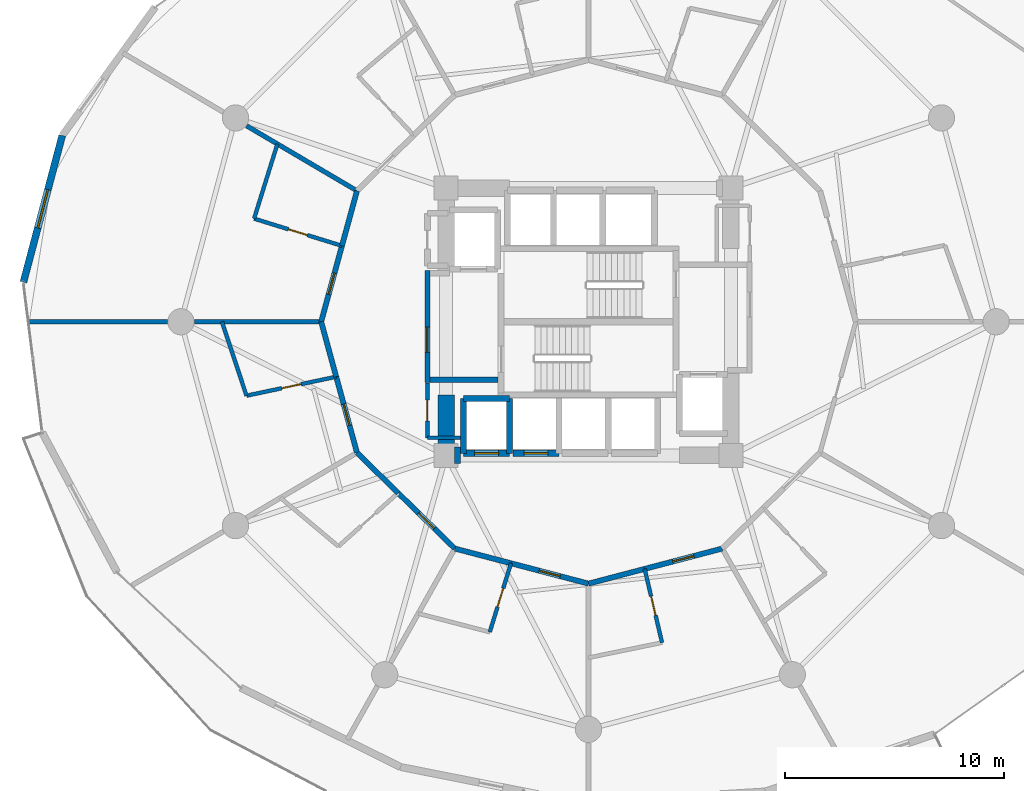
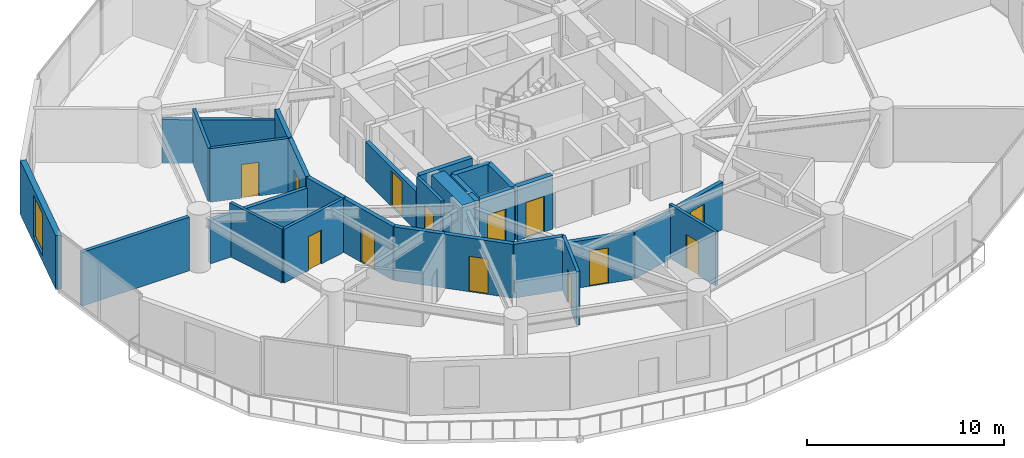
# One storey, part 20 of 26: 31 walls, 13 doors, 1 window, 14 openings.
"""IFC4 building model written with IfcOpenShell, lengths in metres."""

from ifc_helpers import new_model, si_unit, direction, frame, frame_2d, origin, place, context, subcontext, project, spatial, rectangle, extrude, material, layer, layer_set, type_object, element, fill, save


model = new_model("IFC4")

# Units and contexts
model_context = context("Model", 3, precision=1e-05, world=origin(), true_north=direction((0.0, 1.0)))
body_context = subcontext(model_context, "Body", "Model", "MODEL_VIEW")
ifc_project = project(units=[si_unit("LENGTHUNIT", "METRE"), si_unit("AREAUNIT", "SQUARE_METRE"), si_unit("VOLUMEUNIT", "CUBIC_METRE"), si_unit("PLANEANGLEUNIT", "RADIAN"), si_unit("MASSUNIT", "GRAM", prefix="KILO")], contexts=[model_context])

# Site, building, storey
site_placement = place(None, origin())
site = spatial("IfcSite", under=ifc_project, at=site_placement, CompositionType="ELEMENT")
building_placement = place(site_placement, origin())
building = spatial("IfcBuilding", under=site, at=building_placement, Name="Solvirekh Grand Hotel", CompositionType="ELEMENT")
storey_placement = place(building_placement, frame((0.0, 0.0, 35.60009765625)))
storey = spatial("IfcBuildingStorey", under=building, at=storey_placement, Name="L07", CompositionType="ELEMENT", Elevation=35.60009765625)

# Wall, opening, door
ifc_material_1 = material(Name="Concrete C40/50", Category="concrete")
ifc_layer_1 = layer(ifc_material_1, 0.280029296875)
ifc_layer_set_1 = layer_set([ifc_layer_1], Name="Concrete C40/50")
wall_type_1 = type_object("IfcWallType", Name="CoreShaftWall_RC280", PredefinedType="SOLIDWALL", material=ifc_layer_set_1)
wall_1_placement = place(storey_placement, frame((-5.699951171875, -6.0, 0.0), z_axis=(0.0, 0.0, 1.0), x_axis=(1.0, 0.0, 0.0)))
wall_1 = element("IfcWall", 1, at=wall_1_placement, inside=storey, type_object=wall_type_1, Name="L07 LP-1 hoistway S wall", PredefinedType="SOLIDWALL", context=body_context, shape_type="SweptSolid", body=[
    extrude(rectangle(XDim=2.099853515625, YDim=0.280029296875, at=frame_2d((1.0498046875, 0.0))), origin(), (0.0, 0.0, 1.0), 3.33984375),
])
opening_1_placement = place(wall_1_placement, frame((0.5, 0.0, 0.0)))
opening_1 = element("IfcOpeningElement", 2, at=opening_1_placement, cuts=wall_1, Name="Opening LD01", PredefinedType="OPENING", context=body_context, shape_type="SweptSolid", body=[
    extrude(rectangle(XDim=1.10009765625, YDim=2.199951171875, at=frame_2d((0.550048828125, 1.10009765625))), frame((0.0, 0.14990234375, 0.0), z_axis=(0.0, -1.0, 0.0), x_axis=(1.0, 0.0, 0.0)), (0.0, 0.0, 1.0), 0.300048828125),
])
ifc_material_2 = material(Name="Fire-Rated Steel Door Assembly", Category="steel")
door_type_1 = type_object("IfcDoorType", Name="Door_LiftLanding_1100X2200", OperationType="SLIDING_TO_LEFT", PredefinedType="DOOR", material=ifc_material_2)
door_1_placement = place(opening_1_placement, origin())
door_1 = element("IfcDoor", 3, at=door_1_placement, inside=storey, type_object=door_type_1, Name="L07 LP-1 sliding lift landing door", OperationType="SLIDING_TO_LEFT", OverallHeight=2.199951171875, OverallWidth=1.10009765625, PredefinedType="DOOR", context=body_context, shape_type="SweptSolid", body=[
    extrude(rectangle(XDim=1.10009765625, YDim=2.199951171875, at=frame_2d((0.550048828125, 1.10009765625))), frame((0.0, 0.02490234375, 0.0), z_axis=(0.0, -1.0, 0.0), x_axis=(1.0, 0.0, 0.0)), (0.0, 0.0, 1.0), 0.050048828125),
])
fill(opening_1, door_1)

# Walls
wall_2_placement = place(storey_placement, frame((-3.60009765625, -3.5, 0.0), z_axis=(0.0, 0.0, 1.0), x_axis=(-1.0, 0.0, 0.0)))
element("IfcWall", 4, at=wall_2_placement, inside=storey, type_object=wall_type_1, Name="L07 LP-1 hoistway N wall", PredefinedType="SOLIDWALL", context=body_context, shape_type="SweptSolid", body=[
    extrude(rectangle(XDim=2.099853515625, YDim=0.280029296875, at=frame_2d((1.0498046875, 0.0))), origin(), (0.0, 0.0, 1.0), 3.33984375),
])
for number, where, z_axis, x_axis, name in (
    (5, (-5.699951171875, -3.5, 0.0), (0.0, 0.0, 1.0), (0.0, -1.0, 0.0), "L07 LP-1 hoistway W wall"),
    (6, (-3.60009765625, -6.0, 0.0), (0.0, 0.0, 1.0), (0.0, 1.0, 0.0), "L07 LP-1 hoistway E wall"),
):
    element("IfcWall", number, at=place(storey_placement, frame(where, z_axis=z_axis, x_axis=x_axis)), inside=storey, type_object=wall_type_1, Name=name, PredefinedType="SOLIDWALL", context=body_context, shape_type="SweptSolid", body=[
        extrude(rectangle(XDim=2.5, YDim=0.280029296875, at=frame_2d((1.25, 0.0))), origin(), (0.0, 0.0, 1.0), 3.33984375),
    ])

# Wall, opening, door
wall_3_placement = place(storey_placement, frame((-3.449951171875, -6.0, 0.0), z_axis=(0.0, 0.0, 1.0), x_axis=(1.0, 0.0, 0.0)))
wall_3 = element("IfcWall", 7, at=wall_3_placement, inside=storey, type_object=wall_type_1, Name="L07 LP-2 hoistway S wall", PredefinedType="SOLIDWALL", context=body_context, shape_type="SweptSolid", body=[
    extrude(rectangle(XDim=2.099853515625, YDim=0.280029296875, at=frame_2d((1.0498046875, 0.0))), origin(), (0.0, 0.0, 1.0), 3.33984375),
])
opening_2_placement = place(wall_3_placement, frame((0.5, 0.0, 0.0)))
opening_2 = element("IfcOpeningElement", 8, at=opening_2_placement, cuts=wall_3, Name="Opening LD01", PredefinedType="OPENING", context=body_context, shape_type="SweptSolid", body=[
    extrude(rectangle(XDim=1.10009765625, YDim=2.199951171875, at=frame_2d((0.550048828125, 1.10009765625))), frame((0.0, 0.14990234375, 0.0), z_axis=(0.0, -1.0, 0.0), x_axis=(1.0, 0.0, 0.0)), (0.0, 0.0, 1.0), 0.300048828125),
])
door_2_placement = place(opening_2_placement, origin())
door_2 = element("IfcDoor", 9, at=door_2_placement, inside=storey, type_object=door_type_1, Name="L07 LP-2 sliding lift landing door", OperationType="SLIDING_TO_LEFT", OverallHeight=2.199951171875, OverallWidth=1.10009765625, PredefinedType="DOOR", context=body_context, shape_type="SweptSolid", body=[
    extrude(rectangle(XDim=1.10009765625, YDim=2.199951171875, at=frame_2d((0.550048828125, 1.10009765625))), frame((0.0, 0.02490234375, 0.0), z_axis=(0.0, -1.0, 0.0), x_axis=(1.0, 0.0, 0.0)), (0.0, 0.0, 1.0), 0.050048828125),
])
fill(opening_2, door_2)

# Walls
ifc_material_3 = material(Name="Concrete C60/75", Category="concrete")
ifc_layer_2 = layer(ifc_material_3, 0.75)
ifc_layer_set_2 = layer_set([ifc_layer_2], Name="Concrete C60/75")
wall_type_2 = type_object("IfcWallType", Name="CoreWall_RC750", PredefinedType="SHEAR", material=ifc_layer_set_2)
wall_4_placement = place(storey_placement, frame((-6.125, -6.10009765625, 0.0), z_axis=(0.0, 0.0, 1.0), x_axis=(1.0, 0.0, 0.0)))
element("IfcWall", 10, at=wall_4_placement, inside=storey, type_object=wall_type_2, Name="L07 core corner shear wall SW-S", PredefinedType="SHEAR", context=body_context, shape_type="SweptSolid", body=[
    extrude(rectangle(XDim=0.27490234375, YDim=0.75, at=frame_2d((0.137451171875, 0.0))), origin(), (0.0, 0.0, 1.0), 3.599853515625),
])
wall_5_placement = place(storey_placement, frame((-6.5, -6.47509765625, 0.0), z_axis=(0.0, 0.0, 1.0), x_axis=(0.0, 1.0, 0.0)))
element("IfcWall", 11, at=wall_5_placement, inside=storey, type_object=wall_type_2, Name="L07 core corner shear wall WS-W", PredefinedType="SHEAR", context=body_context, shape_type="SweptSolid", body=[
    extrude(rectangle(XDim=3.125, YDim=0.75, at=frame_2d((1.5625, 0.0))), origin(), (0.0, 0.0, 1.0), 3.599853515625),
])

# Wall, opening, window
ifc_material_4 = material(Name="Precast concrete C45/55", Category="concrete")
ifc_layer_3 = layer(ifc_material_4, 0.320068359375)
ifc_layer_set_3 = layer_set([ifc_layer_3], Name="Precast concrete C45/55")
wall_type_3 = type_object("IfcWallType", Name="ExtLobbyWall_RC320", PredefinedType="SOLIDWALL", material=ifc_layer_set_3)
wall_6_placement = place(storey_placement, frame((-25.7890625, 1.80810546875, 0.0), z_axis=(0.0, 0.0, 1.0), x_axis=(0.255999140835, 0.966677009084, 0.0)))
wall_6 = element("IfcWall", 12, at=wall_6_placement, inside=storey, type_object=wall_type_3, Name="L07 exterior structural wall chord 10", PredefinedType="SOLIDWALL", context=body_context, shape_type="SweptSolid", body=[
    extrude(rectangle(XDim=6.925537109375, YDim=0.320068359375, at=frame_2d((3.462890625, 0.0))), origin(), (0.0, 0.0, 1.0), 3.33984375),
])
opening_3_placement = place(wall_6_placement, frame((2.56298828125, 0.0, 0.35009765625)))
opening_3 = element("IfcOpeningElement", 13, at=opening_3_placement, cuts=wall_6, Name="Opening W02", PredefinedType="OPENING", context=body_context, shape_type="SweptSolid", body=[
    extrude(rectangle(XDim=1.800048828125, YDim=2.60009765625, at=frame_2d((0.89990234375, 1.300048828125))), frame((0.0, 0.169921875, 0.0), z_axis=(0.0, -1.0, 0.0), x_axis=(1.0, 0.0, 0.0)), (0.0, 0.0, 1.0), 0.340087890625),
])
ifc_material_5 = material(Name="Low-E Tinted Bronze Laminated Glass", Category="aluminium")
window_type = type_object("IfcWindowType", Name="Win_LobbyExt_1800X2600", PartitioningType="SINGLE_PANEL", PredefinedType="WINDOW", material=ifc_material_5)
window_placement = place(opening_3_placement, origin())
window = element("IfcWindow", 14, at=window_placement, inside=storey, type_object=window_type, Name="L07 panoramic bronze-framed window 10", OverallHeight=2.60009765625, OverallWidth=1.800048828125, PartitioningType="SINGLE_PANEL", PredefinedType="WINDOW", context=body_context, shape_type="SweptSolid", body=[
    extrude(rectangle(XDim=1.800048828125, YDim=2.60009765625, at=frame_2d((0.89990234375, 1.300048828125))), frame((0.0, 0.030029296875, 0.0), z_axis=(0.0, -1.0, 0.0), x_axis=(1.0, 0.0, 0.0)), (0.0, 0.0, 1.0), 0.06005859375),
])
fill(opening_3, window)

# Wall
ifc_material_6 = material(Name="Acoustic Gypsum Partition Assembly")
ifc_layer_4 = layer(ifc_material_6, 0.1650390625)
ifc_layer_set_4 = layer_set([ifc_layer_4], Name="Acoustic Gypsum Partition Assembly")
wall_type_4 = type_object("IfcWallType", Name="Part_BOH_165", PredefinedType="PARTITIONING", material=ifc_layer_set_4)
wall_7_placement = place(storey_placement, frame((-7.35009765625, -5.300048828125, 0.0), z_axis=(0.0, 0.0, 1.0), x_axis=(1.0, 0.0, 0.0)))
element("IfcWall", 15, at=wall_7_placement, inside=storey, type_object=wall_type_4, Name="L07 L07 Core Linen Store wall 1", PredefinedType="PARTITIONING", context=body_context, shape_type="SweptSolid", body=[
    extrude(rectangle(XDim=1.5, YDim=0.1650390625, at=frame_2d((0.75, 0.0))), origin(), (0.0, 0.0, 1.0), 2.4248046875),
])

# Wall, opening, door
wall_8_placement = place(storey_placement, frame((-7.35009765625, -2.800048828125, 0.0), z_axis=(0.0, 0.0, 1.0), x_axis=(0.0, -1.0, 0.0)))
wall_8 = element("IfcWall", 16, at=wall_8_placement, inside=storey, type_object=wall_type_4, Name="L07 L07 Core Linen Store wall 4", PredefinedType="PARTITIONING", context=body_context, shape_type="SweptSolid", body=[
    extrude(rectangle(XDim=2.5, YDim=0.1650390625, at=frame_2d((1.25, 0.0))), origin(), (0.0, 0.0, 1.0), 3.33984375),
])
opening_4_placement = place(wall_8_placement, frame((0.77490234375, 0.0, 0.0)))
opening_4 = element("IfcOpeningElement", 17, at=opening_4_placement, cuts=wall_8, Name="Opening D10", PredefinedType="OPENING", context=body_context, shape_type="SweptSolid", body=[
    extrude(rectangle(XDim=0.949951171875, YDim=2.10009765625, at=frame_2d((0.47509765625, 1.050048828125))), frame((0.0, 0.092529296875, 0.0), z_axis=(0.0, -1.0, 0.0), x_axis=(1.0, 0.0, 0.0)), (0.0, 0.0, 1.0), 0.18505859375),
])
ifc_material_7 = material(Name="Anodized Bronze Aluminium 6063-T6", Category="aluminium")
door_type_2 = type_object("IfcDoorType", Name="Door_RoomInt_950X2100", OperationType="NOTDEFINED", PredefinedType="DOOR", material=ifc_material_7)
door_3_placement = place(opening_4_placement, origin())
door_3 = element("IfcDoor", 18, at=door_3_placement, inside=storey, type_object=door_type_2, Name="L07 L07 Core Linen Store door", OperationType="SINGLE_SWING_LEFT", OverallHeight=2.10009765625, OverallWidth=0.949951171875, PredefinedType="DOOR", context=body_context, shape_type="SweptSolid", body=[
    extrude(rectangle(XDim=0.949951171875, YDim=2.10009765625, at=frame_2d((0.47509765625, 1.050048828125))), frame((0.0, 0.02490234375, 0.0), z_axis=(0.0, -1.0, 0.0), x_axis=(1.0, 0.0, 0.0)), (0.0, 0.0, 1.0), 0.050048828125),
])
fill(opening_4, door_3)

ifc_layer_5 = layer(ifc_material_6, 0.239990234375)
ifc_layer_set_5 = layer_set([ifc_layer_5], Name="Acoustic Gypsum Partition Assembly")
wall_type_5 = type_object("IfcWallType", Name="Part_Corridor_240", PredefinedType="PARTITIONING", material=ifc_layer_set_5)
wall_9_placement = place(storey_placement, frame((-7.35009765625, -2.780029296875, 0.0), z_axis=(0.0, 0.0, 1.0), x_axis=(0.0, 1.0, 0.0)))
wall_9 = element("IfcWall", 19, at=wall_9_placement, inside=storey, type_object=wall_type_5, Name="L07 west firefighting lobby smoke screen wall", PredefinedType="PARTITIONING", context=body_context, shape_type="SweptSolid", body=[
    extrude(rectangle(XDim=5.1201171875, YDim=0.239990234375, at=frame_2d((2.56005859375, 0.0))), origin(), (0.0, 0.0, 1.0), 2.4248046875),
])
opening_5_placement = place(wall_9_placement, frame((1.388916015625, 0.0, 0.0)))
opening_5 = element("IfcOpeningElement", 20, at=opening_5_placement, cuts=wall_9, Name="Opening D06", PredefinedType="OPENING", context=body_context, shape_type="SweptSolid", body=[
    extrude(rectangle(XDim=1.14990234375, YDim=2.199951171875, at=frame_2d((0.574951171875, 1.10009765625))), frame((0.0, 0.1298828125, 0.0), z_axis=(0.0, -1.0, 0.0), x_axis=(1.0, 0.0, 0.0)), (0.0, 0.0, 1.0), 0.260009765625),
])
door_type_3 = type_object("IfcDoorType", Name="Door_FFLobby_1150X2200", OperationType="NOTDEFINED", PredefinedType="DOOR", material=ifc_material_2)
door_4_placement = place(opening_5_placement, origin())
door_4 = element("IfcDoor", 21, at=door_4_placement, inside=storey, type_object=door_type_3, Name="L07 west firefighting lobby smoke door", OperationType="SINGLE_SWING_RIGHT", OverallHeight=2.199951171875, OverallWidth=1.14990234375, PredefinedType="DOOR", context=body_context, shape_type="SweptSolid", body=[
    extrude(rectangle(XDim=1.14990234375, YDim=2.199951171875, at=frame_2d((0.574951171875, 1.10009765625))), frame((0.0, 0.02490234375, 0.0), z_axis=(0.0, -1.0, 0.0), x_axis=(1.0, 0.0, 0.0)), (0.0, 0.0, 1.0), 0.050048828125),
])
fill(opening_5, door_4)

# Wall
wall_10_placement = place(storey_placement, frame((-10.56591796875, 5.97509765625, 0.0), z_axis=(0.0, 0.0, 1.0), x_axis=(-0.263744763784, -0.964592504416, 0.0)))
element("IfcWall", 22, at=wall_10_placement, inside=storey, type_object=wall_type_5, Name="L07 En-suite Bathroom 0905 corridor backing wall", PredefinedType="PARTITIONING", context=body_context, shape_type="SweptSolid", body=[
    extrude(rectangle(XDim=2.60107421875, YDim=0.239990234375, at=frame_2d((1.300537109375, 0.0))), origin(), (0.0, 0.0, 1.0), 3.33984375),
])

# Wall, opening, door
wall_11_placement = place(storey_placement, frame((-11.251953125, 3.466064453125, 0.0), z_axis=(0.0, 0.0, 1.0), x_axis=(-0.263818706543, -0.96457228349, 0.0)))
wall_11 = element("IfcWall", 23, at=wall_11_placement, inside=storey, type_object=wall_type_5, Name="L07 Deluxe Guestroom 0905 entrance wall", PredefinedType="PARTITIONING", context=body_context, shape_type="SweptSolid", body=[
    extrude(rectangle(XDim=3.59326171875, YDim=0.239990234375, at=frame_2d((1.796630859375, 0.0))), origin(), (0.0, 0.0, 1.0), 3.33984375),
])
opening_6_placement = place(wall_11_placement, frame((1.297119140625, 0.0, 0.0)))
opening_6 = element("IfcOpeningElement", 24, at=opening_6_placement, cuts=wall_11, Name="Opening D07", PredefinedType="OPENING", context=body_context, shape_type="SweptSolid", body=[
    extrude(rectangle(XDim=1.0, YDim=2.199951171875, at=frame_2d((0.5, 1.10009765625))), frame((0.0, 0.1298828125, 0.0), z_axis=(0.0, -1.0, 0.0), x_axis=(1.0, 0.0, 0.0)), (0.0, 0.0, 1.0), 0.260009765625),
])
door_type_4 = type_object("IfcDoorType", Name="Door_GuestEntry_1000X2200", OperationType="NOTDEFINED", PredefinedType="DOOR", material=ifc_material_2)
door_5_placement = place(opening_6_placement, origin())
door_5 = element("IfcDoor", 25, at=door_5_placement, inside=storey, type_object=door_type_4, Name="L07 Deluxe Guestroom 0905 entrance door", OperationType="SINGLE_SWING_RIGHT", OverallHeight=2.199951171875, OverallWidth=1.0, PredefinedType="DOOR", context=body_context, shape_type="SweptSolid", body=[
    extrude(rectangle(XDim=1.0, YDim=2.199951171875, at=frame_2d((0.5, 1.10009765625))), frame((0.0, 0.02490234375, 0.0), z_axis=(0.0, -1.0, 0.0), x_axis=(1.0, 0.0, 0.0)), (0.0, 0.0, 1.0), 0.050048828125),
])
fill(opening_6, door_5)

# Wall
wall_12_placement = place(storey_placement, frame((-12.199951171875, 0.0, 0.0), z_axis=(0.0, 0.0, 1.0), x_axis=(0.263744763784, -0.964592504416, 0.0)))
element("IfcWall", 26, at=wall_12_placement, inside=storey, type_object=wall_type_5, Name="L07 En-suite Bathroom 0906 corridor backing wall", PredefinedType="PARTITIONING", context=body_context, shape_type="SweptSolid", body=[
    extrude(rectangle(XDim=2.60107421875, YDim=0.239990234375, at=frame_2d((1.300537109375, 0.0))), origin(), (0.0, 0.0, 1.0), 3.33984375),
])

# Wall, opening, door
wall_13_placement = place(storey_placement, frame((-11.513916015625, -2.509033203125, 0.0), z_axis=(0.0, 0.0, 1.0), x_axis=(0.263818706543, -0.96457228349, 0.0)))
wall_13 = element("IfcWall", 27, at=wall_13_placement, inside=storey, type_object=wall_type_5, Name="L07 Deluxe Guestroom 0906 entrance wall", PredefinedType="PARTITIONING", context=body_context, shape_type="SweptSolid", body=[
    extrude(rectangle(XDim=3.59326171875, YDim=0.239990234375, at=frame_2d((1.796630859375, 0.0))), origin(), (0.0, 0.0, 1.0), 3.33984375),
])
opening_7_placement = place(wall_13_placement, frame((1.297119140625, 0.0, 0.0)))
opening_7 = element("IfcOpeningElement", 28, at=opening_7_placement, cuts=wall_13, Name="Opening D07", PredefinedType="OPENING", context=body_context, shape_type="SweptSolid", body=[
    extrude(rectangle(XDim=1.0, YDim=2.199951171875, at=frame_2d((0.5, 1.10009765625))), frame((0.0, 0.1298828125, 0.0), z_axis=(0.0, -1.0, 0.0), x_axis=(1.0, 0.0, 0.0)), (0.0, 0.0, 1.0), 0.260009765625),
])
door_6_placement = place(opening_7_placement, origin())
door_6 = element("IfcDoor", 29, at=door_6_placement, inside=storey, type_object=door_type_4, Name="L07 Deluxe Guestroom 0906 entrance door", OperationType="SINGLE_SWING_RIGHT", OverallHeight=2.199951171875, OverallWidth=1.0, PredefinedType="DOOR", context=body_context, shape_type="SweptSolid", body=[
    extrude(rectangle(XDim=1.0, YDim=2.199951171875, at=frame_2d((0.5, 1.10009765625))), frame((0.0, 0.02490234375, 0.0), z_axis=(0.0, -1.0, 0.0), x_axis=(1.0, 0.0, 0.0)), (0.0, 0.0, 1.0), 0.050048828125),
])
fill(opening_7, door_6)

# Wall
wall_14_placement = place(storey_placement, frame((-10.56591796875, -5.97509765625, 0.0), z_axis=(0.0, 0.0, 1.0), x_axis=(0.714506552913, -0.699628748584, 0.0)))
element("IfcWall", 30, at=wall_14_placement, inside=storey, type_object=wall_type_5, Name="L07 En-suite Bathroom 0907 corridor backing wall", PredefinedType="PARTITIONING", context=body_context, shape_type="SweptSolid", body=[
    extrude(rectangle(XDim=2.62548828125, YDim=0.239990234375, at=frame_2d((1.312744140625, 0.0))), origin(), (0.0, 0.0, 1.0), 3.33984375),
])

# Wall, opening, door
wall_15_placement = place(storey_placement, frame((-8.68994140625, -7.81201171875, 0.0), z_axis=(0.0, 0.0, 1.0), x_axis=(0.714342093268, -0.699796666029, 0.0)))
wall_15 = element("IfcWall", 31, at=wall_15_placement, inside=storey, type_object=wall_type_5, Name="L07 Deluxe Guestroom 0907 entrance wall", PredefinedType="PARTITIONING", context=body_context, shape_type="SweptSolid", body=[
    extrude(rectangle(XDim=3.62548828125, YDim=0.239990234375, at=frame_2d((1.812744140625, 0.0))), origin(), (0.0, 0.0, 1.0), 3.33984375),
])
opening_8_placement = place(wall_15_placement, frame((1.31298828125, 0.0, 0.0)))
opening_8 = element("IfcOpeningElement", 32, at=opening_8_placement, cuts=wall_15, Name="Opening D07", PredefinedType="OPENING", context=body_context, shape_type="SweptSolid", body=[
    extrude(rectangle(XDim=1.0, YDim=2.199951171875, at=frame_2d((0.5, 1.10009765625))), frame((0.0, 0.1298828125, 0.0), z_axis=(0.0, -1.0, 0.0), x_axis=(1.0, 0.0, 0.0)), (0.0, 0.0, 1.0), 0.260009765625),
])
door_7_placement = place(opening_8_placement, origin())
door_7 = element("IfcDoor", 33, at=door_7_placement, inside=storey, type_object=door_type_4, Name="L07 Deluxe Guestroom 0907 entrance door", OperationType="SINGLE_SWING_RIGHT", OverallHeight=2.199951171875, OverallWidth=1.0, PredefinedType="DOOR", context=body_context, shape_type="SweptSolid", body=[
    extrude(rectangle(XDim=1.0, YDim=2.199951171875, at=frame_2d((0.5, 1.10009765625))), frame((0.0, 0.02490234375, 0.0), z_axis=(0.0, -1.0, 0.0), x_axis=(1.0, 0.0, 0.0)), (0.0, 0.0, 1.0), 0.050048828125),
])
fill(opening_8, door_7)

# Wall
wall_16_placement = place(storey_placement, frame((-6.10009765625, -10.34912109375, 0.0), z_axis=(0.0, 0.0, 1.0), x_axis=(0.967291490053, -0.253667446219, 0.0)))
element("IfcWall", 34, at=wall_16_placement, inside=storey, type_object=wall_type_5, Name="L07 En-suite Bathroom 0908 corridor backing wall", PredefinedType="PARTITIONING", context=body_context, shape_type="SweptSolid", body=[
    extrude(rectangle(XDim=2.648681640625, YDim=0.239990234375, at=frame_2d((1.32421875, 0.0))), origin(), (0.0, 0.0, 1.0), 3.33984375),
])

# Wall, opening, door
wall_17_placement = place(storey_placement, frame((-3.5380859375, -11.02099609375, 0.0), z_axis=(0.0, 0.0, 1.0), x_axis=(0.96721703222, -0.253951201187, 0.0)))
wall_17 = element("IfcWall", 35, at=wall_17_placement, inside=storey, type_object=wall_type_5, Name="L07 Deluxe Guestroom 0908 entrance wall", PredefinedType="PARTITIONING", context=body_context, shape_type="SweptSolid", body=[
    extrude(rectangle(XDim=3.657958984375, YDim=0.239990234375, at=frame_2d((1.8291015625, 0.0))), origin(), (0.0, 0.0, 1.0), 2.9169921875),
])
opening_9_placement = place(wall_17_placement, frame((1.3291015625, 0.0, 0.0)))
opening_9 = element("IfcOpeningElement", 36, at=opening_9_placement, cuts=wall_17, Name="Opening D07", PredefinedType="OPENING", context=body_context, shape_type="SweptSolid", body=[
    extrude(rectangle(XDim=1.0, YDim=2.199951171875, at=frame_2d((0.5, 1.10009765625))), frame((0.0, 0.1298828125, 0.0), z_axis=(0.0, -1.0, 0.0), x_axis=(1.0, 0.0, 0.0)), (0.0, 0.0, 1.0), 0.260009765625),
])
door_8_placement = place(opening_9_placement, origin())
door_8 = element("IfcDoor", 37, at=door_8_placement, inside=storey, type_object=door_type_4, Name="L07 Deluxe Guestroom 0908 entrance door", OperationType="SINGLE_SWING_RIGHT", OverallHeight=2.199951171875, OverallWidth=1.0, PredefinedType="DOOR", context=body_context, shape_type="SweptSolid", body=[
    extrude(rectangle(XDim=1.0, YDim=2.199951171875, at=frame_2d((0.5, 1.10009765625))), frame((0.0, 0.02490234375, 0.0), z_axis=(0.0, -1.0, 0.0), x_axis=(1.0, 0.0, 0.0)), (0.0, 0.0, 1.0), 0.050048828125),
])
fill(opening_9, door_8)

# Wall
wall_18_placement = place(storey_placement, frame((0.0, -11.949951171875, 0.0), z_axis=(0.0, 0.0, 1.0), x_axis=(0.967291490053, 0.253667446219, 0.0)))
element("IfcWall", 38, at=wall_18_placement, inside=storey, type_object=wall_type_5, Name="L07 En-suite Bathroom 0909 corridor backing wall", PredefinedType="PARTITIONING", context=body_context, shape_type="SweptSolid", body=[
    extrude(rectangle(XDim=2.648681640625, YDim=0.239990234375, at=frame_2d((1.32421875, 0.0))), origin(), (0.0, 0.0, 1.0), 2.9169921875),
])

# Wall, opening, door
wall_19_placement = place(storey_placement, frame((2.56201171875, -11.278076171875, 0.0), z_axis=(0.0, 0.0, 1.0), x_axis=(0.96721703222, 0.253951201187, 0.0)))
wall_19 = element("IfcWall", 39, at=wall_19_placement, inside=storey, type_object=wall_type_5, Name="L07 Deluxe Guestroom 0909 entrance wall", PredefinedType="PARTITIONING", context=body_context, shape_type="SweptSolid", body=[
    extrude(rectangle(XDim=3.657958984375, YDim=0.239990234375, at=frame_2d((1.8291015625, 0.0))), origin(), (0.0, 0.0, 1.0), 2.9169921875),
])
opening_10_placement = place(wall_19_placement, frame((1.3291015625, 0.0, 0.0)))
opening_10 = element("IfcOpeningElement", 40, at=opening_10_placement, cuts=wall_19, Name="Opening D07", PredefinedType="OPENING", context=body_context, shape_type="SweptSolid", body=[
    extrude(rectangle(XDim=1.0, YDim=2.199951171875, at=frame_2d((0.5, 1.10009765625))), frame((0.0, 0.1298828125, 0.0), z_axis=(0.0, -1.0, 0.0), x_axis=(1.0, 0.0, 0.0)), (0.0, 0.0, 1.0), 0.260009765625),
])
door_9_placement = place(opening_10_placement, origin())
door_9 = element("IfcDoor", 41, at=door_9_placement, inside=storey, type_object=door_type_4, Name="L07 Deluxe Guestroom 0909 entrance door", OperationType="SINGLE_SWING_RIGHT", OverallHeight=2.199951171875, OverallWidth=1.0, PredefinedType="DOOR", context=body_context, shape_type="SweptSolid", body=[
    extrude(rectangle(XDim=1.0, YDim=2.199951171875, at=frame_2d((0.5, 1.10009765625))), frame((0.0, 0.02490234375, 0.0), z_axis=(0.0, -1.0, 0.0), x_axis=(1.0, 0.0, 0.0)), (0.0, 0.0, 1.0), 0.050048828125),
])
fill(opening_10, door_9)

# Walls
ifc_layer_6 = layer(ifc_material_6, 0.260009765625)
ifc_layer_set_6 = layer_set([ifc_layer_6], Name="Acoustic Gypsum Partition Assembly")
wall_type_6 = type_object("IfcWallType", Name="Part_LobbyFF_260", PredefinedType="PARTITIONING", material=ifc_layer_set_6)
wall_20_placement = place(storey_placement, frame((-7.22509765625, -2.64990234375, 0.0), z_axis=(0.0, 0.0, 1.0), x_axis=(1.0, 0.0, 0.0)))
element("IfcWall", 42, at=wall_20_placement, inside=storey, type_object=wall_type_6, Name="L07 west firefighting lobby south partition", PredefinedType="PARTITIONING", context=body_context, shape_type="SweptSolid", body=[
    extrude(rectangle(XDim=3.09521484375, YDim=0.260009765625, at=frame_2d((1.547607421875, 0.0))), origin(), (0.0, 0.0, 1.0), 3.33984375),
])
ifc_layer_7 = layer(ifc_material_6, 0.2099609375)
ifc_layer_set_7 = layer_set([ifc_layer_7], Name="Acoustic Gypsum Partition Assembly")
wall_type_7 = type_object("IfcWallType", Name="Part_SuiteDemise_210", PredefinedType="PARTITIONING", material=ifc_layer_set_7)
wall_21_placement = place(storey_placement, frame((-10.56591796875, 5.97509765625, 0.0), z_axis=(0.0, 0.0, 1.0), x_axis=(-0.86160761681, 0.507574935014, 0.0)))
element("IfcWall", 43, at=wall_21_placement, inside=storey, type_object=wall_type_7, Name="L07 suite radial wall 6 (A)", PredefinedType="PARTITIONING", context=body_context, shape_type="SweptSolid", body=[
    extrude(rectangle(XDim=5.844970703125, YDim=0.2099609375, at=frame_2d((2.92236328125, 0.0))), origin(), (0.0, 0.0, 1.0), 2.706787109375),
])
wall_22_placement = place(storey_placement, frame((-12.199951171875, 0.0, 0.0), z_axis=(0.0, 0.0, 1.0), x_axis=(-1.0, 0.0, 0.0)))
element("IfcWall", 44, at=wall_22_placement, inside=storey, type_object=wall_type_7, Name="L07 suite radial wall 7 (A)", PredefinedType="PARTITIONING", context=body_context, shape_type="SweptSolid", body=[
    extrude(rectangle(XDim=5.780029296875, YDim=0.2099609375, at=frame_2d((2.89013671875, 0.0))), origin(), (0.0, 0.0, 1.0), 2.706787109375),
])
wall_23_placement = place(storey_placement, frame((-19.219970703125, 0.0, 0.0), z_axis=(0.0, 0.0, 1.0), x_axis=(-1.0, 0.0, 0.0)))
element("IfcWall", 45, at=wall_23_placement, inside=storey, type_object=wall_type_7, Name="L07 suite radial wall 7 (B)", PredefinedType="PARTITIONING", context=body_context, shape_type="SweptSolid", body=[
    extrude(rectangle(XDim=6.302001953125, YDim=0.2099609375, at=frame_2d((3.15087890625, 0.0))), origin(), (0.0, 0.0, 1.0), 3.33984375),
])
ifc_layer_8 = layer(ifc_material_6, 0.175048828125)
ifc_layer_set_8 = layer_set([ifc_layer_8], Name="Acoustic Gypsum Partition Assembly")
wall_type_8 = type_object("IfcWallType", Name="Plumb_Ensuite_175", PredefinedType="PLUMBINGWALL", material=ifc_layer_set_8)
wall_24_placement = place(storey_placement, frame((-14.197021484375, 8.114013671875, 0.0), z_axis=(0.0, 0.0, 1.0), x_axis=(-0.298014103634, -0.954561466871, 0.0)))
element("IfcWall", 46, at=wall_24_placement, inside=storey, type_object=wall_type_8, Name="L07 En-suite Bathroom 0905 outer plumbing wall", PredefinedType="PLUMBINGWALL", context=body_context, shape_type="SweptSolid", body=[
    extrude(rectangle(XDim=3.570068359375, YDim=0.175048828125, at=frame_2d((1.78515625, 0.0))), origin(), (0.0, 0.0, 1.0), 3.33984375),
])

# Wall, opening, door
wall_25_placement = place(storey_placement, frame((-11.251953125, 3.466064453125, 0.0), z_axis=(0.0, 0.0, 1.0), x_axis=(-0.955346516927, 0.295487787557, 0.0)))
wall_25 = element("IfcWall", 47, at=wall_25_placement, inside=storey, type_object=wall_type_8, Name="L07 En-suite Bathroom 0905 entry plumbing wall", PredefinedType="PLUMBINGWALL", context=body_context, shape_type="SweptSolid", body=[
    extrude(rectangle(XDim=4.196533203125, YDim=0.175048828125, at=frame_2d((2.09814453125, 0.0))), origin(), (0.0, 0.0, 1.0), 3.33984375),
])
opening_11_placement = place(wall_25_placement, frame((1.64794921875, 0.0, 0.0)))
opening_11 = element("IfcOpeningElement", 48, at=opening_11_placement, cuts=wall_25, Name="Opening D09", PredefinedType="OPENING", context=body_context, shape_type="SweptSolid", body=[
    extrude(rectangle(XDim=0.89990234375, YDim=2.10009765625, at=frame_2d((0.449951171875, 1.050048828125))), frame((0.0, 0.09765625, 0.0), z_axis=(0.0, -1.0, 0.0), x_axis=(1.0, 0.0, 0.0)), (0.0, 0.0, 1.0), 0.195068359375),
])
door_type_5 = type_object("IfcDoorType", Name="Door_Ensuite_900X2100", OperationType="NOTDEFINED", PredefinedType="DOOR", material=ifc_material_7)
door_10_placement = place(opening_11_placement, origin())
door_10 = element("IfcDoor", 49, at=door_10_placement, inside=storey, type_object=door_type_5, Name="L07 En-suite Bathroom 0905 door", OperationType="SINGLE_SWING_LEFT", OverallHeight=2.10009765625, OverallWidth=0.89990234375, PredefinedType="DOOR", context=body_context, shape_type="SweptSolid", body=[
    extrude(rectangle(XDim=0.89990234375, YDim=2.10009765625, at=frame_2d((0.449951171875, 1.050048828125))), frame((0.0, 0.02490234375, 0.0), z_axis=(0.0, -1.0, 0.0), x_axis=(1.0, 0.0, 0.0)), (0.0, 0.0, 1.0), 0.050048828125),
])
fill(opening_11, door_10)

# Wall
wall_26_placement = place(storey_placement, frame((-16.72900390625, 0.0, 0.0), z_axis=(0.0, 0.0, 1.0), x_axis=(0.315898114113, -0.948793118388, 0.0)))
element("IfcWall", 50, at=wall_26_placement, inside=storey, type_object=wall_type_8, Name="L07 En-suite Bathroom 0906 outer plumbing wall", PredefinedType="PLUMBINGWALL", context=body_context, shape_type="SweptSolid", body=[
    extrude(rectangle(XDim=3.55517578125, YDim=0.175048828125, at=frame_2d((1.777587890625, 0.0))), origin(), (0.0, 0.0, 1.0), 3.33984375),
])

# Wall, opening, door
wall_27_placement = place(storey_placement, frame((-11.513916015625, -2.509033203125, 0.0), z_axis=(0.0, 0.0, 1.0), x_axis=(-0.978427598238, -0.206590016715, 0.0)))
wall_27 = element("IfcWall", 51, at=wall_27_placement, inside=storey, type_object=wall_type_8, Name="L07 En-suite Bathroom 0906 entry plumbing wall", PredefinedType="PLUMBINGWALL", context=body_context, shape_type="SweptSolid", body=[
    extrude(rectangle(XDim=4.182373046875, YDim=0.175048828125, at=frame_2d((2.09130859375, 0.0))), origin(), (0.0, 0.0, 1.0), 3.33984375),
])
opening_12_placement = place(wall_27_placement, frame((1.64111328125, 0.0, 0.0)))
opening_12 = element("IfcOpeningElement", 52, at=opening_12_placement, cuts=wall_27, Name="Opening D09", PredefinedType="OPENING", context=body_context, shape_type="SweptSolid", body=[
    extrude(rectangle(XDim=0.89990234375, YDim=2.10009765625, at=frame_2d((0.449951171875, 1.050048828125))), frame((0.0, 0.09765625, 0.0), z_axis=(0.0, -1.0, 0.0), x_axis=(1.0, 0.0, 0.0)), (0.0, 0.0, 1.0), 0.195068359375),
])
door_11_placement = place(opening_12_placement, origin())
door_11 = element("IfcDoor", 53, at=door_11_placement, inside=storey, type_object=door_type_5, Name="L07 En-suite Bathroom 0906 door", OperationType="SINGLE_SWING_LEFT", OverallHeight=2.10009765625, OverallWidth=0.89990234375, PredefinedType="DOOR", context=body_context, shape_type="SweptSolid", body=[
    extrude(rectangle(XDim=0.89990234375, YDim=2.10009765625, at=frame_2d((0.449951171875, 1.050048828125))), frame((0.0, 0.02490234375, 0.0), z_axis=(0.0, -1.0, 0.0), x_axis=(1.0, 0.0, 0.0)), (0.0, 0.0, 1.0), 0.050048828125),
])
fill(opening_12, door_11)

wall_28_placement = place(storey_placement, frame((-3.5380859375, -11.02099609375, 0.0), z_axis=(0.0, 0.0, 1.0), x_axis=(-0.294696857094, -0.955590792347, 0.0)))
wall_28 = element("IfcWall", 54, at=wall_28_placement, inside=storey, type_object=wall_type_8, Name="L07 En-suite Bathroom 0908 entry plumbing wall", PredefinedType="PLUMBINGWALL", context=body_context, shape_type="SweptSolid", body=[
    extrude(rectangle(XDim=3.284912109375, YDim=0.175048828125, at=frame_2d((1.642578125, 0.0))), origin(), (0.0, 0.0, 1.0), 3.33984375),
])
opening_13_placement = place(wall_28_placement, frame((1.19189453125, 0.0, 0.0)))
opening_13 = element("IfcOpeningElement", 55, at=opening_13_placement, cuts=wall_28, Name="Opening D09", PredefinedType="OPENING", context=body_context, shape_type="SweptSolid", body=[
    extrude(rectangle(XDim=0.89990234375, YDim=2.10009765625, at=frame_2d((0.449951171875, 1.050048828125))), frame((0.0, 0.09765625, 0.0), z_axis=(0.0, -1.0, 0.0), x_axis=(1.0, 0.0, 0.0)), (0.0, 0.0, 1.0), 0.195068359375),
])
door_12_placement = place(opening_13_placement, origin())
door_12 = element("IfcDoor", 56, at=door_12_placement, inside=storey, type_object=door_type_5, Name="L07 En-suite Bathroom 0908 door", OperationType="SINGLE_SWING_LEFT", OverallHeight=2.10009765625, OverallWidth=0.89990234375, PredefinedType="DOOR", context=body_context, shape_type="SweptSolid", body=[
    extrude(rectangle(XDim=0.89990234375, YDim=2.10009765625, at=frame_2d((0.449951171875, 1.050048828125))), frame((0.0, 0.02490234375, 0.0), z_axis=(0.0, -1.0, 0.0), x_axis=(1.0, 0.0, 0.0)), (0.0, 0.0, 1.0), 0.050048828125),
])
fill(opening_13, door_12)

wall_29_placement = place(storey_placement, frame((2.56201171875, -11.278076171875, 0.0), z_axis=(0.0, 0.0, 1.0), x_axis=(0.229433036384, -0.973324448381, 0.0)))
wall_29 = element("IfcWall", 57, at=wall_29_placement, inside=storey, type_object=wall_type_8, Name="L07 En-suite Bathroom 0909 entry plumbing wall", PredefinedType="PLUMBINGWALL", context=body_context, shape_type="SweptSolid", body=[
    extrude(rectangle(XDim=3.456298828125, YDim=0.175048828125, at=frame_2d((1.72802734375, 0.0))), origin(), (0.0, 0.0, 1.0), 3.33984375),
])
opening_14_placement = place(wall_29_placement, frame((1.278076171875, 0.0, 0.0)))
opening_14 = element("IfcOpeningElement", 58, at=opening_14_placement, cuts=wall_29, Name="Opening D09", PredefinedType="OPENING", context=body_context, shape_type="SweptSolid", body=[
    extrude(rectangle(XDim=0.89990234375, YDim=2.10009765625, at=frame_2d((0.449951171875, 1.050048828125))), frame((0.0, 0.09765625, 0.0), z_axis=(0.0, -1.0, 0.0), x_axis=(1.0, 0.0, 0.0)), (0.0, 0.0, 1.0), 0.195068359375),
])
door_13_placement = place(opening_14_placement, origin())
door_13 = element("IfcDoor", 59, at=door_13_placement, inside=storey, type_object=door_type_5, Name="L07 En-suite Bathroom 0909 door", OperationType="SINGLE_SWING_LEFT", OverallHeight=2.10009765625, OverallWidth=0.89990234375, PredefinedType="DOOR", context=body_context, shape_type="SweptSolid", body=[
    extrude(rectangle(XDim=0.89990234375, YDim=2.10009765625, at=frame_2d((0.449951171875, 1.050048828125))), frame((0.0, 0.02490234375, 0.0), z_axis=(0.0, -1.0, 0.0), x_axis=(1.0, 0.0, 0.0)), (0.0, 0.0, 1.0), 0.050048828125),
])
fill(opening_14, door_13)

save(model, "model.ifc")
